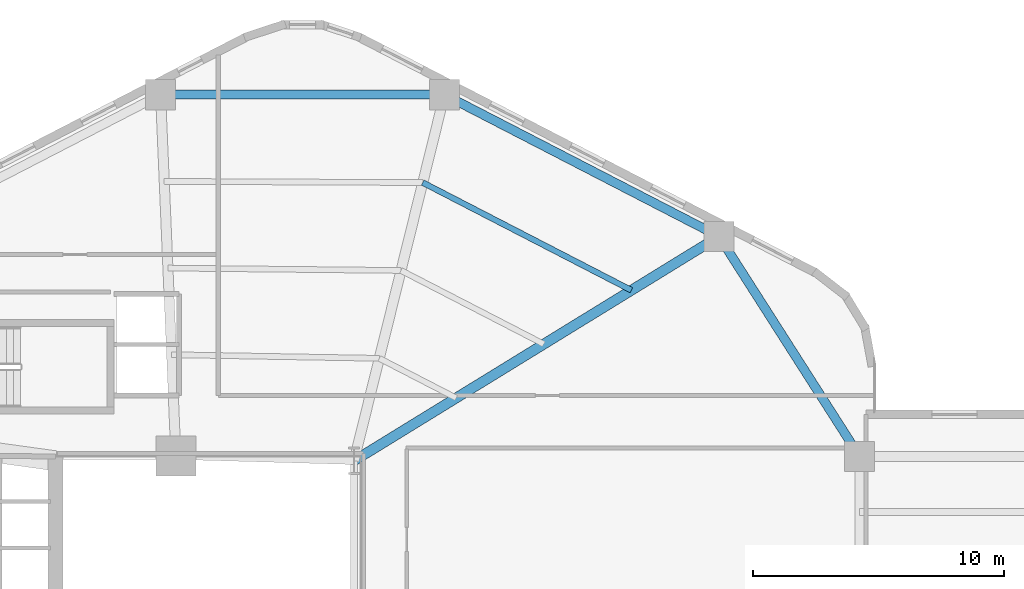
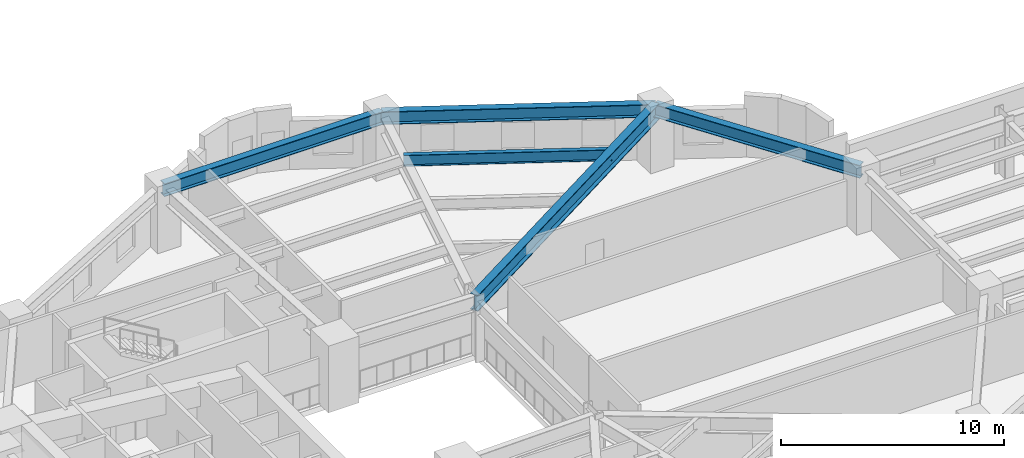
# One storey, part 2 of 10: 5 beams.
"""IFC4 building model written with IfcOpenShell, lengths in metres."""

from ifc_helpers import new_model, si_unit, direction, frame, origin, origin_2d, place, context, subcontext, project, spatial, i_section, extrude, material, material_profile, profile_set, type_object, element, save


model = new_model("IFC4")

# Units and contexts
model_context = context("Model", 3, precision=1e-05, world=origin(), true_north=direction((0.0, 1.0)))
body_context = subcontext(model_context, "Body", "Model", "MODEL_VIEW")
ifc_project = project(units=[si_unit("LENGTHUNIT", "METRE"), si_unit("AREAUNIT", "SQUARE_METRE"), si_unit("VOLUMEUNIT", "CUBIC_METRE"), si_unit("PLANEANGLEUNIT", "RADIAN"), si_unit("MASSUNIT", "GRAM", prefix="KILO"), si_unit("THERMODYNAMICTEMPERATUREUNIT", "KELVIN"), si_unit("POWERUNIT", "WATT")], contexts=[model_context])

# Site, building, storey
site_placement = place(None, origin())
site = spatial("IfcSite", under=ifc_project, at=site_placement, CompositionType="ELEMENT")
building_placement = place(site_placement, origin())
building = spatial("IfcBuilding", under=site, at=building_placement, Name="Skarre Station Tower", CompositionType="ELEMENT")
storey_placement = place(building_placement, frame((0.0, 0.0, 56.199951171875)))
storey = spatial("IfcBuildingStorey", under=building, at=storey_placement, Name="L14", CompositionType="ELEMENT", Elevation=56.199951171875)

# Beams
ifc_material = material(Name="Steel ASTM A992 Grade 50", Category="steel")
ifc_material_profile_1 = material_profile(ifc_material, i_section(OverallWidth=0.40087890625, OverallDepth=0.876953125, WebThickness=0.02197265625, FlangeThickness=0.0400390625, at=origin_2d()), Name="Steel ASTM A992 Grade 50")
ifc_profile_set_1 = profile_set([ifc_material_profile_1], Name="Steel ASTM A992 Grade 50")
beam_type_1 = type_object("IfcBeamType", Name="Steel Beam W33X263", PredefinedType="BEAM", material=ifc_profile_set_1)
beam_1_placement = place(storey_placement, frame((39.449951171875, 29.35009765625, 2.922119140625), z_axis=(0.851925565957, 0.523662897358, 0.0), x_axis=(-0.523662897358, 0.851925565957, 0.0)))
element("IfcBeam", 1, at=beam_1_placement, inside=storey, type_object=beam_type_1, Name="L14 Radial Floor Girder F0C1", PredefinedType="BEAM", context=body_context, shape_type="SweptSolid", body=[
    extrude(i_section(OverallWidth=0.40087890625, OverallDepth=0.876953125, WebThickness=0.02197265625, FlangeThickness=0.0400390625, at=origin_2d()), origin(), (0.0, 0.0, 1.0), 17.08740234375),
])
ifc_material_profile_2 = material_profile(ifc_material, i_section(OverallWidth=0.22802734375, OverallDepth=0.60791015625, WebThickness=0.010986328125, FlangeThickness=0.01708984375, at=origin_2d()), Name="Steel ASTM A992 Grade 50")
ifc_profile_set_2 = profile_set([ifc_material_profile_2], Name="Steel ASTM A992 Grade 50")
beam_type_2 = type_object("IfcBeamType", Name="Steel Joist W24X76", PredefinedType="JOIST", material=ifc_profile_set_2)
beam_2_placement = place(storey_placement, frame((50.512939453125, 36.14990234375, 3.05615234375), z_axis=(-0.888594941555, 0.458692740125, 0.0), x_axis=(-0.458692740125, -0.888594941555, 0.0)))
element("IfcBeam", 2, at=beam_2_placement, inside=storey, type_object=beam_type_2, Name="L14 Secondary Floor Joist 3", PredefinedType="JOIST", context=body_context, shape_type="SweptSolid", body=[
    extrude(i_section(OverallWidth=0.22802734375, OverallDepth=0.60791015625, WebThickness=0.010986328125, FlangeThickness=0.01708984375, at=origin_2d()), origin(), (0.0, 0.0, 1.0), 9.36181640625),
])
ifc_material_profile_3 = material_profile(ifc_material, i_section(OverallWidth=0.35791015625, OverallDepth=0.7060546875, WebThickness=0.01806640625, FlangeThickness=0.030029296875, at=origin_2d()), Name="Steel ASTM A992 Grade 50")
ifc_profile_set_3 = profile_set([ifc_material_profile_3], Name="Steel ASTM A992 Grade 50")
beam_type_3 = type_object("IfcBeamType", Name="Steel Spandrel W27X178", PredefinedType="SPANDREL", material=ifc_profile_set_3)
beam_3_placement = place(storey_placement, frame((54.007080078125, 38.298095703125, 3.007080078125), z_axis=(-0.888658695823, 0.458569212158, 0.0), x_axis=(-0.458569212158, -0.888658695823, 0.0)))
element("IfcBeam", 3, at=beam_3_placement, inside=storey, type_object=beam_type_3, Name="L14 Facet Spandrel Beam 1", PredefinedType="SPANDREL", context=body_context, shape_type="SweptSolid", body=[
    extrude(i_section(OverallWidth=0.35791015625, OverallDepth=0.7060546875, WebThickness=0.01806640625, FlangeThickness=0.030029296875, at=origin_2d()), origin(), (0.0, 0.0, 1.0), 12.318603515625),
])
beam_4_placement = place(storey_placement, frame((43.06005859375, 43.947021484375, 3.007080078125), z_axis=(-1.0, 0.0, 0.0), x_axis=(0.0, -1.0, 0.0)))
element("IfcBeam", 4, at=beam_4_placement, inside=storey, type_object=beam_type_3, Name="L14 Facet Spandrel Beam 2", PredefinedType="SPANDREL", context=body_context, shape_type="SweptSolid", body=[
    extrude(i_section(OverallWidth=0.35791015625, OverallDepth=0.7060546875, WebThickness=0.01806640625, FlangeThickness=0.030029296875, at=origin_2d()), origin(), (0.0, 0.0, 1.0), 11.320068359375),
])
beam_5_placement = place(storey_placement, frame((59.613037109375, 29.52099609375, 3.007080078125), z_axis=(-0.538277829225, 0.842767452246, 0.0), x_axis=(-0.842767452246, -0.538277829225, 0.0)))
element("IfcBeam", 5, at=beam_5_placement, inside=storey, type_object=beam_type_3, Name="L14 Facet Spandrel Beam 12", PredefinedType="SPANDREL", context=body_context, shape_type="SweptSolid", body=[
    extrude(i_section(OverallWidth=0.35791015625, OverallDepth=0.7060546875, WebThickness=0.01806640625, FlangeThickness=0.030029296875, at=origin_2d()), origin(), (0.0, 0.0, 1.0), 10.41455078125),
])

save(model, "model.ifc")
